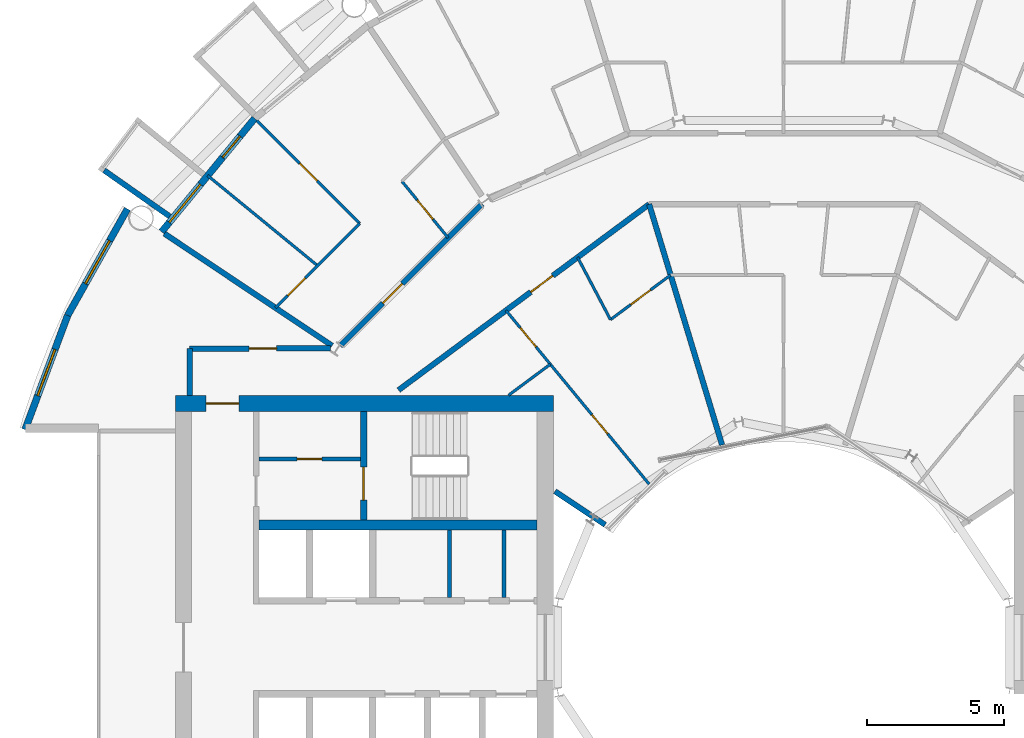
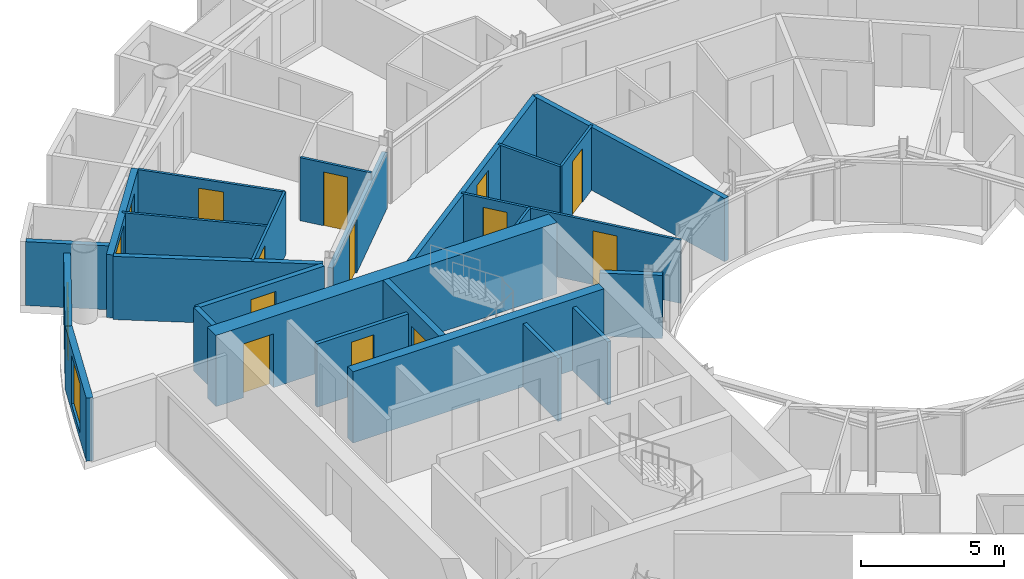
# One storey, part 19 of 27: 25 walls, 13 doors, 3 windows, 16 openings.
"""IFC4 building model written with IfcOpenShell, lengths in metres."""

from ifc_helpers import new_model, si_unit, direction, frame, frame_2d, origin, place, context, subcontext, project, spatial, rectangle, extrude, material, layer, layer_set, type_object, element, fill, save


model = new_model("IFC4")

# Units and contexts
model_context = context("Model", 3, precision=1e-05, world=origin(), true_north=direction((0.0, 1.0)))
body_context = subcontext(model_context, "Body", "Model", "MODEL_VIEW")
ifc_project = project(units=[si_unit("LENGTHUNIT", "METRE"), si_unit("AREAUNIT", "SQUARE_METRE"), si_unit("VOLUMEUNIT", "CUBIC_METRE"), si_unit("PLANEANGLEUNIT", "RADIAN"), si_unit("MASSUNIT", "GRAM", prefix="KILO")], contexts=[model_context])

# Site, building, storey
site_placement = place(None, origin())
site = spatial("IfcSite", under=ifc_project, at=site_placement, CompositionType="ELEMENT")
building_placement = place(site_placement, origin())
building = spatial("IfcBuilding", under=site, at=building_placement, Name="Maasbend Ring Residences", CompositionType="ELEMENT")
storey_placement = place(building_placement, frame((0.0, 0.0, 120.800048828125)))
storey = spatial("IfcBuildingStorey", under=building, at=storey_placement, Name="L34", CompositionType="ELEMENT", Elevation=120.800048828125)

# Wall, opening, door
ifc_material_1 = material(Name="Concrete C60/75", Category="concrete")
ifc_layer_1 = layer(ifc_material_1, 0.25)
ifc_layer_set_1 = layer_set([ifc_layer_1], Name="Concrete C60/75")
wall_type_1 = type_object("IfcWallType", Name="CORE WALL 250 C60/75", PredefinedType="SHEAR", material=ifc_layer_set_1)
wall_1_placement = place(storey_placement, frame((-15.324951171875, 8.60009765625, 0.0), z_axis=(0.0, 0.0, 1.0), x_axis=(0.0, -1.0, 0.0)))
wall_1 = element("IfcWall", 1, at=wall_1_placement, inside=storey, type_object=wall_type_1, Name="L34 core W wall STES", PredefinedType="SHEAR", context=body_context, shape_type="SweptSolid", body=[
    extrude(rectangle(XDim=3.9501953125, YDim=0.25, at=frame_2d((1.97509765625, 0.0))), origin(), (0.0, 0.0, 1.0), 3.050048828125),
])
opening_1_placement = place(wall_1_placement, frame((2.02490234375, 0.0, 0.0)))
opening_1 = element("IfcOpeningElement", 2, at=opening_1_placement, cuts=wall_1, Name="Opening D-W3411", PredefinedType="OPENING", context=body_context, shape_type="SweptSolid", body=[
    extrude(rectangle(XDim=1.199951171875, YDim=2.300048828125, at=frame_2d((0.60009765625, 1.14990234375))), frame((0.0, 0.135009765625, 0.0), z_axis=(0.0, -1.0, 0.0), x_axis=(1.0, 0.0, 0.0)), (0.0, 0.0, 1.0), 0.27001953125),
])
ifc_material_2 = material(Name="Steel, powder coated", Category="steel")
door_type_1 = type_object("IfcDoorType", Name="STAIR DOOR 1200 X 2300 FD60", OperationType="NOTDEFINED", PredefinedType="DOOR", material=ifc_material_2)
door_1_placement = place(opening_1_placement, origin())
door_1 = element("IfcDoor", 3, at=door_1_placement, inside=storey, type_object=door_type_1, Name="Stair door ST-W L34", OperationType="SINGLE_SWING_LEFT", OverallHeight=2.300048828125, OverallWidth=1.199951171875, PredefinedType="DOOR", context=body_context, shape_type="SweptSolid", body=[
    extrude(rectangle(XDim=1.199951171875, YDim=2.300048828125, at=frame_2d((0.60009765625, 1.14990234375))), frame((0.0, 0.02490234375, 0.0), z_axis=(0.0, -1.0, 0.0), x_axis=(1.0, 0.0, 0.0)), (0.0, 0.0, 1.0), 0.050048828125),
])
fill(opening_1, door_1)

# Wall
ifc_material_3 = material(Name="Concrete C60/75", Category="concrete")
ifc_layer_2 = layer(ifc_material_3, 0.375)
ifc_layer_set_2 = layer_set([ifc_layer_2], Name="Concrete C60/75")
wall_type_2 = type_object("IfcWallType", Name="CORE WALL 375 C60/75", PredefinedType="SHEAR", material=ifc_layer_set_2)
wall_2_placement = place(storey_placement, frame((-9.0, 4.46240234375, 0.0), z_axis=(0.0, 0.0, 1.0), x_axis=(-1.0, 0.0, 0.0)))
element("IfcWall", 4, at=wall_2_placement, inside=storey, type_object=wall_type_2, Name="L34 core W wall BS", PredefinedType="SHEAR", context=body_context, shape_type="SweptSolid", body=[
    extrude(rectangle(XDim=10.14990234375, YDim=0.375, at=frame_2d((5.074951171875, 0.0))), origin(), (0.0, 0.0, 1.0), 3.050048828125),
])

# Wall, opening, door
ifc_material_4 = material(Name="Concrete C60/75", Category="concrete")
ifc_layer_3 = layer(ifc_material_4, 0.60009765625)
ifc_layer_set_3 = layer_set([ifc_layer_3], Name="Concrete C60/75")
wall_type_3 = type_object("IfcWallType", Name="CORE WALL 600 C60/75", PredefinedType="SHEAR", material=ifc_layer_set_3)
wall_3_placement = place(storey_placement, frame((-8.39990234375, 8.89990234375, 0.0), z_axis=(0.0, 0.0, 1.0), x_axis=(-1.0, 0.0, 0.0)))
wall_3 = element("IfcWall", 5, at=wall_3_placement, inside=storey, type_object=wall_type_3, Name="L34 core W wall PS", PredefinedType="SHEAR", context=body_context, shape_type="SweptSolid", body=[
    extrude(rectangle(XDim=13.800048828125, YDim=0.60009765625, at=frame_2d((6.89990234375, 0.0))), origin(), (0.0, 0.0, 1.0), 3.050048828125),
])
opening_2_placement = place(wall_3_placement, frame((11.47509765625, 0.0, 0.0)))
opening_2 = element("IfcOpeningElement", 6, at=opening_2_placement, cuts=wall_3, Name="Opening D-W3415", PredefinedType="OPENING", context=body_context, shape_type="SweptSolid", body=[
    extrude(rectangle(XDim=1.199951171875, YDim=2.300048828125, at=frame_2d((0.60009765625, 1.14990234375))), frame((0.0, 0.31005859375, 0.0), z_axis=(0.0, -1.0, 0.0), x_axis=(1.0, 0.0, 0.0)), (0.0, 0.0, 1.0), 0.6201171875),
])
ifc_material_5 = material(Name="Steel, powder coated", Category="steel")
door_type_2 = type_object("IfcDoorType", Name="CORRIDOR DOOR 1200 X 2300 FD30S", OperationType="NOTDEFINED", PredefinedType="DOOR", material=ifc_material_5)
door_2_placement = place(opening_2_placement, origin())
door_2 = element("IfcDoor", 7, at=door_2_placement, inside=storey, type_object=door_type_2, Name="Corridor door L34", OperationType="SINGLE_SWING_LEFT", OverallHeight=2.300048828125, OverallWidth=1.199951171875, PredefinedType="DOOR", context=body_context, shape_type="SweptSolid", body=[
    extrude(rectangle(XDim=1.199951171875, YDim=2.300048828125, at=frame_2d((0.60009765625, 1.14990234375))), frame((0.0, 0.02490234375, 0.0), z_axis=(0.0, -1.0, 0.0), x_axis=(1.0, 0.0, 0.0)), (0.0, 0.0, 1.0), 0.050048828125),
])
fill(opening_2, door_2)

ifc_material_6 = material(Name="Concrete C30/37", Category="concrete")
ifc_layer_4 = layer(ifc_material_6, 0.199951171875)
ifc_layer_set_4 = layer_set([ifc_layer_4], Name="Concrete C30/37")
wall_type_4 = type_object("IfcWallType", Name="CORRIDOR WALL 200 CONCRETE", PredefinedType="PARTITIONING", material=ifc_layer_set_4)
wall_4_placement = place(storey_placement, frame((-21.675048828125, 10.89990234375, 0.0), z_axis=(0.0, 0.0, 1.0), x_axis=(0.999997173357, 0.002377662213, 0.0)))
wall_4 = element("IfcWall", 8, at=wall_4_placement, inside=storey, type_object=wall_type_4, Name="U-L34-w085", PredefinedType="PARTITIONING", context=body_context, shape_type="SweptSolid", body=[
    extrude(rectangle(XDim=5.134033203125, YDim=0.199951171875, at=frame_2d((2.56689453125, 0.0))), origin(), (0.0, 0.0, 1.0), 2.699951171875),
])
opening_3_placement = place(wall_4_placement, frame((2.1708984375, 0.0, 0.0)))
opening_3 = element("IfcOpeningElement", 9, at=opening_3_placement, cuts=wall_4, Name="Opening D-3463", PredefinedType="OPENING", context=body_context, shape_type="SweptSolid", body=[
    extrude(rectangle(XDim=1.0, YDim=2.300048828125, at=frame_2d((0.5, 1.14990234375))), frame((0.0, 0.10986328125, 0.0), z_axis=(0.0, -1.0, 0.0), x_axis=(1.0, 0.0, 0.0)), (0.0, 0.0, 1.0), 0.219970703125),
])
ifc_material_7 = material(Name="Timber, painted", Category="wood")
door_type_3 = type_object("IfcDoorType", Name="ROOM DOOR 1000 X 2300", OperationType="NOTDEFINED", PredefinedType="DOOR", material=ifc_material_7)
door_3_placement = place(opening_3_placement, origin())
door_3 = element("IfcDoor", 10, at=door_3_placement, inside=storey, type_object=door_type_3, Name="D-3463", OperationType="SINGLE_SWING_RIGHT", OverallHeight=2.300048828125, OverallWidth=1.0, PredefinedType="DOOR", context=body_context, shape_type="SweptSolid", body=[
    extrude(rectangle(XDim=1.0, YDim=2.300048828125, at=frame_2d((0.5, 1.14990234375))), frame((0.0, 0.02490234375, 0.0), z_axis=(0.0, -1.0, 0.0), x_axis=(1.0, 0.0, 0.0)), (0.0, 0.0, 1.0), 0.050048828125),
])
fill(opening_3, door_3)

wall_5_placement = place(storey_placement, frame((-14.052001953125, 9.388916015625, 0.0), z_axis=(0.0, 0.0, 1.0), x_axis=(0.803204584823, 0.59570327758, 0.0)))
wall_5 = element("IfcWall", 11, at=wall_5_placement, inside=storey, type_object=wall_type_4, Name="U-L34-w093", PredefinedType="PARTITIONING", context=body_context, shape_type="SweptSolid", body=[
    extrude(rectangle(XDim=11.386962890625, YDim=0.199951171875, at=frame_2d((5.693359375, 0.0))), origin(), (0.0, 0.0, 1.0), 2.699951171875),
])
opening_4_placement = place(wall_5_placement, frame((6.007080078125, 0.0, 0.0)))
opening_4 = element("IfcOpeningElement", 12, at=opening_4_placement, cuts=wall_5, Name="Opening D-3429", PredefinedType="OPENING", context=body_context, shape_type="SweptSolid", body=[
    extrude(rectangle(XDim=1.0, YDim=2.300048828125, at=frame_2d((0.5, 1.14990234375))), frame((0.0, 0.10986328125, 0.0), z_axis=(0.0, -1.0, 0.0), x_axis=(1.0, 0.0, 0.0)), (0.0, 0.0, 1.0), 0.219970703125),
])
ifc_material_8 = material(Name="Timber, fire-rated, painted", Category="wood")
door_type_4 = type_object("IfcDoorType", Name="FLAT ENTRANCE DOOR 1000 X 2300 FIRE-RATED", OperationType="NOTDEFINED", PredefinedType="DOOR", material=ifc_material_8)
door_4_placement = place(opening_4_placement, origin())
door_4 = element("IfcDoor", 13, at=door_4_placement, inside=storey, type_object=door_type_4, Name="D-3429", OperationType="SINGLE_SWING_RIGHT", OverallHeight=2.300048828125, OverallWidth=1.0, PredefinedType="DOOR", context=body_context, shape_type="SweptSolid", body=[
    extrude(rectangle(XDim=1.0, YDim=2.300048828125, at=frame_2d((0.5, 1.14990234375))), frame((0.0, 0.02490234375, 0.0), z_axis=(0.0, -1.0, 0.0), x_axis=(1.0, 0.0, 0.0)), (0.0, 0.0, 1.0), 0.050048828125),
])
fill(opening_4, door_4)

wall_6_placement = place(storey_placement, frame((-16.18603515625, 11.0, 0.0), z_axis=(0.0, 0.0, 1.0), x_axis=(0.707106781187, 0.707106781187, 0.0)))
wall_6 = element("IfcWall", 14, at=wall_6_placement, inside=storey, type_object=wall_type_4, Name="U-L34-w097", PredefinedType="PARTITIONING", context=body_context, shape_type="SweptSolid", body=[
    extrude(rectangle(XDim=7.334228515625, YDim=0.199951171875, at=frame_2d((3.6669921875, 0.0))), origin(), (0.0, 0.0, 1.0), 2.389892578125),
])
opening_5_placement = place(wall_6_placement, frame((2.2109375, 0.0, 0.0)))
opening_5 = element("IfcOpeningElement", 15, at=opening_5_placement, cuts=wall_6, Name="Opening D-3417", PredefinedType="OPENING", context=body_context, shape_type="SweptSolid", body=[
    extrude(rectangle(XDim=1.0, YDim=2.300048828125, at=frame_2d((0.5, 1.14990234375))), frame((0.0, 0.10986328125, 0.0), z_axis=(0.0, -1.0, 0.0), x_axis=(1.0, 0.0, 0.0)), (0.0, 0.0, 1.0), 0.219970703125),
])
door_5_placement = place(opening_5_placement, origin())
door_5 = element("IfcDoor", 16, at=door_5_placement, inside=storey, type_object=door_type_4, Name="D-3417", OperationType="SINGLE_SWING_LEFT", OverallHeight=2.300048828125, OverallWidth=1.0, PredefinedType="DOOR", context=body_context, shape_type="SweptSolid", body=[
    extrude(rectangle(XDim=1.0, YDim=2.300048828125, at=frame_2d((0.5, 1.14990234375))), frame((0.0, 0.02490234375, 0.0), z_axis=(0.0, -1.0, 0.0), x_axis=(1.0, 0.0, 0.0)), (0.0, 0.0, 1.0), 0.050048828125),
])
fill(opening_5, door_5)

# Walls
wall_7_placement = place(storey_placement, frame((-21.675048828125, 9.199951171875, 0.0), z_axis=(0.0, 0.0, 1.0), x_axis=(0.0, 1.0, 0.0)))
element("IfcWall", 17, at=wall_7_placement, inside=storey, type_object=wall_type_4, Name="U-L34-w104", PredefinedType="PARTITIONING", context=body_context, shape_type="SweptSolid", body=[
    extrude(rectangle(XDim=1.699951171875, YDim=0.199951171875, at=frame_2d((0.85009765625, 0.0))), origin(), (0.0, 0.0, 1.0), 2.699951171875),
])
ifc_material_9 = material(Name="Pale anodised aluminium panel", Category="aluminium")
ifc_layer_5 = layer(ifc_material_9, 0.199951171875)
ifc_layer_set_5 = layer_set([ifc_layer_5], Name="EW-BOX")
wall_type_5 = type_object("IfcWallType", Name="EW-BOX", PredefinedType="SOLIDWALL", material=ifc_layer_set_5)
wall_8_placement = place(storey_placement, frame((-22.402099609375, 15.72607421875, -0.030029296875), z_axis=(0.0, 0.0, 1.0), x_axis=(-0.818275399393, 0.574826383135, 0.0)))
element("IfcWall", 18, at=wall_8_placement, inside=storey, type_object=wall_type_5, Name="Box side wall N20 right", PredefinedType="SOLIDWALL", context=body_context, shape_type="SweptSolid", body=[
    extrude(rectangle(XDim=2.92919921875, YDim=0.199951171875, at=frame_2d((1.464599609375, 0.0))), origin(), (0.0, 0.0, 1.0), 2.72998046875),
])

# Wall, openings, door, window
ifc_material_10 = material(Name="Aluminium clad insulated panel", Category="aluminium")
ifc_layer_6 = layer(ifc_material_10, 0.25)
ifc_layer_set_6 = layer_set([ifc_layer_6], Name="EW-GL")
wall_type_6 = type_object("IfcWallType", Name="EW-GL", PredefinedType="SOLIDWALL", material=ifc_layer_set_6)
wall_9_placement = place(storey_placement, frame((-19.303955078125, 19.303955078125, 0.0), z_axis=(0.0, 0.0, 1.0), x_axis=(-0.634382322723, -0.773019449054, 0.0)))
wall_9 = element("IfcWall", 19, at=wall_9_placement, inside=storey, type_object=wall_type_6, Name="External wall N10", PredefinedType="SOLIDWALL", context=body_context, shape_type="SweptSolid", body=[
    extrude(rectangle(XDim=5.351806640625, YDim=0.25, at=frame_2d((2.67578125, 0.0))), origin(), (0.0, 0.0, 1.0), 2.699951171875),
])
opening_6_placement = place(wall_9_placement, frame((0.841064453125, 0.0, 0.0)))
opening_6 = element("IfcOpeningElement", 20, at=opening_6_placement, cuts=wall_9, Name="Opening D-LG", PredefinedType="OPENING", context=body_context, shape_type="SweptSolid", body=[
    extrude(rectangle(XDim=1.0, YDim=2.199951171875, at=frame_2d((0.5, 1.10009765625))), frame((0.0, 0.135009765625, 0.0), z_axis=(0.0, -1.0, 0.0), x_axis=(1.0, 0.0, 0.0)), (0.0, 0.0, 1.0), 0.27001953125),
])
opening_7_placement = place(wall_9_placement, frame((3.110595703125, 0.0, 0.300048828125)))
opening_7 = element("IfcOpeningElement", 21, at=opening_7_placement, cuts=wall_9, Name="Opening W-BX", PredefinedType="OPENING", context=body_context, shape_type="SweptSolid", body=[
    extrude(rectangle(XDim=1.800048828125, YDim=2.10009765625, at=frame_2d((0.89990234375, 1.050048828125))), frame((0.0, 0.135009765625, 0.0), z_axis=(0.0, -1.0, 0.0), x_axis=(1.0, 0.0, 0.0)), (0.0, 0.0, 1.0), 0.27001953125),
])
ifc_material_11 = material(Name="Aluminium and clear glass", Category="aluminium")
door_type_5 = type_object("IfcDoorType", Name="D-LG", OperationType="SINGLE_SWING_LEFT", PredefinedType="DOOR", material=ifc_material_11)
door_6_placement = place(opening_6_placement, origin())
door_6 = element("IfcDoor", 22, at=door_6_placement, inside=storey, type_object=door_type_5, Name="Loggia door N19", OperationType="SINGLE_SWING_LEFT", OverallHeight=2.199951171875, OverallWidth=1.0, PredefinedType="DOOR", context=body_context, shape_type="SweptSolid", body=[
    extrude(rectangle(XDim=1.0, YDim=2.199951171875, at=frame_2d((0.5, 1.10009765625))), frame((0.0, 0.02490234375, 0.0), z_axis=(0.0, -1.0, 0.0), x_axis=(1.0, 0.0, 0.0)), (0.0, 0.0, 1.0), 0.050048828125),
])
fill(opening_6, door_6)
ifc_material_12 = material(Name="Aluminium and clear glass", Category="aluminium")
window_type = type_object("IfcWindowType", Name="W-BX", PartitioningType="DOUBLE_PANEL_VERTICAL", PredefinedType="WINDOW", material=ifc_material_12)
window_1_placement = place(opening_7_placement, origin())
window_1 = element("IfcWindow", 23, at=window_1_placement, inside=storey, type_object=window_type, Name="Window N20 room to box", OverallHeight=2.10009765625, OverallWidth=1.800048828125, PartitioningType="SINGLE_PANEL", PredefinedType="WINDOW", context=body_context, shape_type="SweptSolid", body=[
    extrude(rectangle(XDim=1.800048828125, YDim=2.10009765625, at=frame_2d((0.89990234375, 1.050048828125))), frame((0.0, 0.030029296875, 0.0), z_axis=(0.0, -1.0, 0.0), x_axis=(1.0, 0.0, 0.0)), (0.0, 0.0, 1.0), 0.06005859375),
])
fill(opening_7, window_1)

# Wall, opening, window
ifc_material_13 = material(Name="Aluminium clad insulated panel", Category="aluminium")
ifc_layer_7 = layer(ifc_material_13, 0.25)
ifc_layer_set_7 = layer_set([ifc_layer_7], Name="EW-HORN")
wall_type_7 = type_object("IfcWallType", Name="EW-HORN", PredefinedType="SOLIDWALL", material=ifc_layer_set_7)
wall_10_placement = place(storey_placement, frame((-23.946044921875, 16.0, 0.0), z_axis=(0.0, 0.0, 1.0), x_axis=(-0.489696356642, -0.871893042919, 0.0)))
wall_10 = element("IfcWall", 24, at=wall_10_placement, inside=storey, type_object=wall_type_7, Name="Horn wall 4.1", PredefinedType="SOLIDWALL", context=body_context, shape_type="SweptSolid", body=[
    extrude(rectangle(XDim=4.45361328125, YDim=0.25, at=frame_2d((2.226806640625, 0.0))), origin(), (0.0, 0.0, 1.0), 2.699951171875),
])
opening_8_placement = place(wall_10_placement, frame((1.32666015625, 0.0, 0.300048828125)))
opening_8 = element("IfcOpeningElement", 25, at=opening_8_placement, cuts=wall_10, Name="Opening W-BX", PredefinedType="OPENING", context=body_context, shape_type="SweptSolid", body=[
    extrude(rectangle(XDim=1.800048828125, YDim=2.10009765625, at=frame_2d((0.89990234375, 1.050048828125))), frame((0.0, 0.135009765625, 0.0), z_axis=(0.0, -1.0, 0.0), x_axis=(1.0, 0.0, 0.0)), (0.0, 0.0, 1.0), 0.27001953125),
])
window_2_placement = place(opening_8_placement, origin())
window_2 = element("IfcWindow", 26, at=window_2_placement, inside=storey, type_object=window_type, Name="Horn window 4.1", OverallHeight=2.10009765625, OverallWidth=1.800048828125, PartitioningType="SINGLE_PANEL", PredefinedType="WINDOW", context=body_context, shape_type="SweptSolid", body=[
    extrude(rectangle(XDim=1.800048828125, YDim=2.10009765625, at=frame_2d((0.89990234375, 1.050048828125))), frame((0.0, 0.030029296875, 0.0), z_axis=(0.0, -1.0, 0.0), x_axis=(1.0, 0.0, 0.0)), (0.0, 0.0, 1.0), 0.06005859375),
])
fill(opening_8, window_2)

wall_11_placement = place(storey_placement, frame((-26.126953125, 12.116943359375, 0.0), z_axis=(0.0, 0.0, 1.0), x_axis=(-0.349247811493, -0.937030397675, 0.0)))
wall_11 = element("IfcWall", 27, at=wall_11_placement, inside=storey, type_object=wall_type_7, Name="Horn wall 4.2", PredefinedType="SOLIDWALL", context=body_context, shape_type="SweptSolid", body=[
    extrude(rectangle(XDim=4.4521484375, YDim=0.25, at=frame_2d((2.22607421875, 0.0))), origin(), (0.0, 0.0, 1.0), 2.699951171875),
])
opening_9_placement = place(wall_11_placement, frame((1.32666015625, 0.0, 0.300048828125)))
opening_9 = element("IfcOpeningElement", 28, at=opening_9_placement, cuts=wall_11, Name="Opening W-BX", PredefinedType="OPENING", context=body_context, shape_type="SweptSolid", body=[
    extrude(rectangle(XDim=1.800048828125, YDim=2.10009765625, at=frame_2d((0.89990234375, 1.050048828125))), frame((0.0, 0.135009765625, 0.0), z_axis=(0.0, -1.0, 0.0), x_axis=(1.0, 0.0, 0.0)), (0.0, 0.0, 1.0), 0.27001953125),
])
window_3_placement = place(opening_9_placement, origin())
window_3 = element("IfcWindow", 29, at=window_3_placement, inside=storey, type_object=window_type, Name="Horn window 4.2", OverallHeight=2.10009765625, OverallWidth=1.800048828125, PartitioningType="SINGLE_PANEL", PredefinedType="WINDOW", context=body_context, shape_type="SweptSolid", body=[
    extrude(rectangle(XDim=1.800048828125, YDim=2.10009765625, at=frame_2d((0.89990234375, 1.050048828125))), frame((0.0, 0.030029296875, 0.0), z_axis=(0.0, -1.0, 0.0), x_axis=(1.0, 0.0, 0.0)), (0.0, 0.0, 1.0), 0.06005859375),
])
fill(opening_9, window_3)

# Wall
ifc_material_14 = material(Name="Gypsum board on steel studs", Category="steel")
ifc_layer_8 = layer(ifc_material_14, 0.10009765625)
ifc_layer_set_8 = layer_set([ifc_layer_8], Name="PARTITION 100 GYPSUM")
wall_type_8 = type_object("IfcWallType", Name="PARTITION 100 GYPSUM", PredefinedType="PARTITIONING", material=ifc_layer_set_8)
wall_12_placement = place(storey_placement, frame((-21.02294921875, 17.219970703125, 0.0), z_axis=(0.0, 0.0, 1.0), x_axis=(0.773517471898, -0.633774976367, 0.0)))
element("IfcWall", 30, at=wall_12_placement, inside=storey, type_object=wall_type_8, Name="U-L34-w034", PredefinedType="PARTITIONING", context=body_context, shape_type="SweptSolid", body=[
    extrude(rectangle(XDim=5.19580078125, YDim=0.10009765625, at=frame_2d((2.597900390625, 0.0))), origin(), (0.0, 0.0, 1.0), 2.699951171875),
])

# Wall, opening, door
wall_13_placement = place(storey_placement, frame((-19.216064453125, 19.216064453125, 0.0), z_axis=(0.0, 0.0, 1.0), x_axis=(0.707106781187, -0.707106781187, 0.0)))
wall_13 = element("IfcWall", 31, at=wall_13_placement, inside=storey, type_object=wall_type_8, Name="U-L34-w035", PredefinedType="PARTITIONING", context=body_context, shape_type="SweptSolid", body=[
    extrude(rectangle(XDim=5.3046875, YDim=0.10009765625, at=frame_2d((2.65234375, 0.0))), origin(), (0.0, 0.0, 1.0), 2.699951171875),
])
opening_10_placement = place(wall_13_placement, frame((2.201904296875, 0.0, 0.0)))
opening_10 = element("IfcOpeningElement", 32, at=opening_10_placement, cuts=wall_13, Name="Opening D-3419", PredefinedType="OPENING", context=body_context, shape_type="SweptSolid", body=[
    extrude(rectangle(XDim=0.89990234375, YDim=2.300048828125, at=frame_2d((0.449951171875, 1.14990234375))), frame((0.0, 0.06005859375, 0.0), z_axis=(0.0, -1.0, 0.0), x_axis=(1.0, 0.0, 0.0)), (0.0, 0.0, 1.0), 0.1201171875),
])
ifc_material_15 = material(Name="Timber, painted", Category="wood")
door_type_6 = type_object("IfcDoorType", Name="INTERNAL DOOR 900 X 2300", OperationType="NOTDEFINED", PredefinedType="DOOR", material=ifc_material_15)
door_7_placement = place(opening_10_placement, origin())
door_7 = element("IfcDoor", 33, at=door_7_placement, inside=storey, type_object=door_type_6, Name="D-3419", OperationType="SINGLE_SWING_LEFT", OverallHeight=2.300048828125, OverallWidth=0.89990234375, PredefinedType="DOOR", context=body_context, shape_type="SweptSolid", body=[
    extrude(rectangle(XDim=0.89990234375, YDim=2.300048828125, at=frame_2d((0.449951171875, 1.14990234375))), frame((0.0, 0.02490234375, 0.0), z_axis=(0.0, -1.0, 0.0), x_axis=(1.0, 0.0, 0.0)), (0.0, 0.0, 1.0), 0.050048828125),
])
fill(opening_10, door_7)

wall_14_placement = place(storey_placement, frame((-13.927001953125, 17.00390625, 0.0), z_axis=(0.0, 0.0, 1.0), x_axis=(0.633582447834, -0.77367517848, 0.0)))
wall_14 = element("IfcWall", 34, at=wall_14_placement, inside=storey, type_object=wall_type_8, Name="U-L34-w040", PredefinedType="PARTITIONING", context=body_context, shape_type="SweptSolid", body=[
    extrude(rectangle(XDim=2.6611328125, YDim=0.10009765625, at=frame_2d((1.33056640625, 0.0))), origin(), (0.0, 0.0, 1.0), 2.699951171875),
])
opening_11_placement = place(wall_14_placement, frame((0.881103515625, 0.0, 0.0)))
opening_11 = element("IfcOpeningElement", 35, at=opening_11_placement, cuts=wall_14, Name="Opening D-3418", PredefinedType="OPENING", context=body_context, shape_type="SweptSolid", body=[
    extrude(rectangle(XDim=0.89990234375, YDim=2.300048828125, at=frame_2d((0.449951171875, 1.14990234375))), frame((0.0, 0.06005859375, 0.0), z_axis=(0.0, -1.0, 0.0), x_axis=(1.0, 0.0, 0.0)), (0.0, 0.0, 1.0), 0.1201171875),
])
door_8_placement = place(opening_11_placement, origin())
door_8 = element("IfcDoor", 36, at=door_8_placement, inside=storey, type_object=door_type_6, Name="D-3418", OperationType="SINGLE_SWING_RIGHT", OverallHeight=2.300048828125, OverallWidth=0.89990234375, PredefinedType="DOOR", context=body_context, shape_type="SweptSolid", body=[
    extrude(rectangle(XDim=0.89990234375, YDim=2.300048828125, at=frame_2d((0.449951171875, 1.14990234375))), frame((0.0, 0.02490234375, 0.0), z_axis=(0.0, -1.0, 0.0), x_axis=(1.0, 0.0, 0.0)), (0.0, 0.0, 1.0), 0.050048828125),
])
fill(opening_11, door_8)

# Wall, openings, doors
wall_15_placement = place(storey_placement, frame((-10.132080078125, 12.2958984375, 0.0), z_axis=(0.0, 0.0, 1.0), x_axis=(0.635976043025, -0.771708800454, 0.0)))
wall_15 = element("IfcWall", 37, at=wall_15_placement, inside=storey, type_object=wall_type_8, Name="U-L34-w044", PredefinedType="PARTITIONING", context=body_context, shape_type="SweptSolid", body=[
    extrude(rectangle(XDim=8.212890625, YDim=0.10009765625, at=frame_2d((4.1064453125, 0.0))), origin(), (0.0, 0.0, 1.0), 2.699951171875),
])
opening_12_placement = place(wall_15_placement, frame((0.822998046875, 0.0, 0.0)))
opening_12 = element("IfcOpeningElement", 38, at=opening_12_placement, cuts=wall_15, Name="Opening D-3431", PredefinedType="OPENING", context=body_context, shape_type="SweptSolid", body=[
    extrude(rectangle(XDim=0.89990234375, YDim=2.300048828125, at=frame_2d((0.449951171875, 1.14990234375))), frame((0.0, 0.06005859375, 0.0), z_axis=(0.0, -1.0, 0.0), x_axis=(1.0, 0.0, 0.0)), (0.0, 0.0, 1.0), 0.1201171875),
])
opening_13_placement = place(wall_15_placement, frame((4.928955078125, 0.0, 0.0)))
opening_13 = element("IfcOpeningElement", 39, at=opening_13_placement, cuts=wall_15, Name="Opening D-3432", PredefinedType="OPENING", context=body_context, shape_type="SweptSolid", body=[
    extrude(rectangle(XDim=0.89990234375, YDim=2.300048828125, at=frame_2d((0.449951171875, 1.14990234375))), frame((0.0, 0.06005859375, 0.0), z_axis=(0.0, -1.0, 0.0), x_axis=(1.0, 0.0, 0.0)), (0.0, 0.0, 1.0), 0.1201171875),
])
door_9_placement = place(opening_12_placement, origin())
door_9 = element("IfcDoor", 40, at=door_9_placement, inside=storey, type_object=door_type_6, Name="D-3431", OperationType="SINGLE_SWING_LEFT", OverallHeight=2.300048828125, OverallWidth=0.89990234375, PredefinedType="DOOR", context=body_context, shape_type="SweptSolid", body=[
    extrude(rectangle(XDim=0.89990234375, YDim=2.300048828125, at=frame_2d((0.449951171875, 1.14990234375))), frame((0.0, 0.02490234375, 0.0), z_axis=(0.0, -1.0, 0.0), x_axis=(1.0, 0.0, 0.0)), (0.0, 0.0, 1.0), 0.050048828125),
])
fill(opening_12, door_9)
door_10_placement = place(opening_13_placement, origin())
door_10 = element("IfcDoor", 41, at=door_10_placement, inside=storey, type_object=door_type_6, Name="D-3432", OperationType="SINGLE_SWING_RIGHT", OverallHeight=2.300048828125, OverallWidth=0.89990234375, PredefinedType="DOOR", context=body_context, shape_type="SweptSolid", body=[
    extrude(rectangle(XDim=0.89990234375, YDim=2.300048828125, at=frame_2d((0.449951171875, 1.14990234375))), frame((0.0, 0.02490234375, 0.0), z_axis=(0.0, -1.0, 0.0), x_axis=(1.0, 0.0, 0.0)), (0.0, 0.0, 1.0), 0.050048828125),
])
fill(opening_13, door_10)

# Walls
wall_16_placement = place(storey_placement, frame((-7.51904296875, 14.23388671875, 0.0), z_axis=(0.0, 0.0, 1.0), x_axis=(0.467001992543, -0.884256263173, 0.0)))
element("IfcWall", 42, at=wall_16_placement, inside=storey, type_object=wall_type_8, Name="U-L34-w048", PredefinedType="PARTITIONING", context=body_context, shape_type="SweptSolid", body=[
    extrude(rectangle(XDim=2.571533203125, YDim=0.10009765625, at=frame_2d((1.28564453125, 0.0))), origin(), (0.0, 0.0, 1.0), 2.699951171875),
])
wall_17_placement = place(storey_placement, frame((-10.0390625, 9.199951171875, 0.0), z_axis=(0.0, 0.0, 1.0), x_axis=(0.803149591038, 0.595777420196, 0.0)))
element("IfcWall", 43, at=wall_17_placement, inside=storey, type_object=wall_type_8, Name="U-L34-w087", PredefinedType="PARTITIONING", context=body_context, shape_type="SweptSolid", body=[
    extrude(rectangle(XDim=1.900146484375, YDim=0.10009765625, at=frame_2d((0.9501953125, 0.0))), origin(), (0.0, 0.0, 1.0), 2.699951171875),
])

# Wall, opening, door
wall_18_placement = place(storey_placement, frame((-6.318115234375, 11.9599609375, 0.0), z_axis=(0.0, 0.0, 1.0), x_axis=(0.803128348509, 0.595806055542, 0.0)))
wall_18 = element("IfcWall", 44, at=wall_18_placement, inside=storey, type_object=wall_type_8, Name="U-L34-w088", PredefinedType="PARTITIONING", context=body_context, shape_type="SweptSolid", body=[
    extrude(rectangle(XDim=2.734375, YDim=0.10009765625, at=frame_2d((1.3671875, 0.0))), origin(), (0.0, 0.0, 1.0), 2.699951171875),
])
opening_14_placement = place(wall_18_placement, frame((0.9169921875, 0.0, 0.0)))
opening_14 = element("IfcOpeningElement", 45, at=opening_14_placement, cuts=wall_18, Name="Opening D-3430", PredefinedType="OPENING", context=body_context, shape_type="SweptSolid", body=[
    extrude(rectangle(XDim=0.89990234375, YDim=2.300048828125, at=frame_2d((0.449951171875, 1.14990234375))), frame((0.0, 0.06005859375, 0.0), z_axis=(0.0, -1.0, 0.0), x_axis=(1.0, 0.0, 0.0)), (0.0, 0.0, 1.0), 0.1201171875),
])
door_11_placement = place(opening_14_placement, origin())
door_11 = element("IfcDoor", 46, at=door_11_placement, inside=storey, type_object=door_type_6, Name="D-3430", OperationType="SINGLE_SWING_RIGHT", OverallHeight=2.300048828125, OverallWidth=0.89990234375, PredefinedType="DOOR", context=body_context, shape_type="SweptSolid", body=[
    extrude(rectangle(XDim=0.89990234375, YDim=2.300048828125, at=frame_2d((0.449951171875, 1.14990234375))), frame((0.0, 0.02490234375, 0.0), z_axis=(0.0, -1.0, 0.0), x_axis=(1.0, 0.0, 0.0)), (0.0, 0.0, 1.0), 0.050048828125),
])
fill(opening_14, door_11)

wall_19_placement = place(storey_placement, frame((-18.5419921875, 12.388916015625, 0.0), z_axis=(0.0, 0.0, 1.0), x_axis=(0.707190945535, 0.707022606819, 0.0)))
wall_19 = element("IfcWall", 47, at=wall_19_placement, inside=storey, type_object=wall_type_8, Name="U-L34-w105", PredefinedType="PARTITIONING", context=body_context, shape_type="SweptSolid", body=[
    extrude(rectangle(XDim=4.350830078125, YDim=0.10009765625, at=frame_2d((2.17529296875, 0.0))), origin(), (0.0, 0.0, 1.0), 2.699951171875),
])
opening_15_placement = place(wall_19_placement, frame((0.638916015625, 0.0, 0.0)))
opening_15 = element("IfcOpeningElement", 48, at=opening_15_placement, cuts=wall_19, Name="Opening D-3420", PredefinedType="OPENING", context=body_context, shape_type="SweptSolid", body=[
    extrude(rectangle(XDim=0.89990234375, YDim=2.300048828125, at=frame_2d((0.449951171875, 1.14990234375))), frame((0.0, 0.06005859375, 0.0), z_axis=(0.0, -1.0, 0.0), x_axis=(1.0, 0.0, 0.0)), (0.0, 0.0, 1.0), 0.1201171875),
])
door_12_placement = place(opening_15_placement, origin())
door_12 = element("IfcDoor", 49, at=door_12_placement, inside=storey, type_object=door_type_6, Name="D-3420", OperationType="SINGLE_SWING_LEFT", OverallHeight=2.300048828125, OverallWidth=0.89990234375, PredefinedType="DOOR", context=body_context, shape_type="SweptSolid", body=[
    extrude(rectangle(XDim=0.89990234375, YDim=2.300048828125, at=frame_2d((0.449951171875, 1.14990234375))), frame((0.0, 0.02490234375, 0.0), z_axis=(0.0, -1.0, 0.0), x_axis=(1.0, 0.0, 0.0)), (0.0, 0.0, 1.0), 0.050048828125),
])
fill(opening_15, door_12)

# Walls
ifc_material_16 = material(Name="Gypsum board on steel studs", Category="steel")
ifc_layer_9 = layer(ifc_material_16, 0.14990234375)
ifc_layer_set_9 = layer_set([ifc_layer_9], Name="PARTITION 150 EI 60")
wall_type_9 = type_object("IfcWallType", Name="PARTITION 150 EI 60", PredefinedType="PARTITIONING", material=ifc_layer_set_9)
for number, where, z_axis, x_axis, name in (
    (50, (-10.199951171875, 1.824951171875, 0.0), (0.0, 0.0, 1.0), (0.0, 1.0, 0.0), "L34 core W wall PRS1020"),
    (51, (-12.199951171875, 1.824951171875, 0.0), (0.0, 0.0, 1.0), (0.0, 1.0, 0.0), "L34 core W wall PRS1220"),
):
    element("IfcWall", number, at=place(storey_placement, frame(where, z_axis=z_axis, x_axis=x_axis)), inside=storey, type_object=wall_type_9, Name=name, PredefinedType="PARTITIONING", context=body_context, shape_type="SweptSolid", body=[
        extrude(rectangle(XDim=2.449951171875, YDim=0.14990234375, at=frame_2d((1.22509765625, 0.0))), origin(), (0.0, 0.0, 1.0), 2.699951171875),
    ])

# Wall, opening, door
wall_20_placement = place(storey_placement, frame((-15.449951171875, 6.875, 0.0), z_axis=(0.0, 0.0, 1.0), x_axis=(-1.0, 0.0, 0.0)))
wall_20 = element("IfcWall", 52, at=wall_20_placement, inside=storey, type_object=wall_type_9, Name="L34 core W wall RHS", PredefinedType="PARTITIONING", context=body_context, shape_type="SweptSolid", body=[
    extrude(rectangle(XDim=3.699951171875, YDim=0.14990234375, at=frame_2d((1.85009765625, 0.0))), origin(), (0.0, 0.0, 1.0), 2.699951171875),
])
opening_16_placement = place(wall_20_placement, frame((1.39990234375, 0.0, 0.0)))
opening_16 = element("IfcOpeningElement", 53, at=opening_16_placement, cuts=wall_20, Name="Opening D-W3409", PredefinedType="OPENING", context=body_context, shape_type="SweptSolid", body=[
    extrude(rectangle(XDim=0.89990234375, YDim=2.300048828125, at=frame_2d((0.449951171875, 1.14990234375))), frame((0.0, 0.0849609375, 0.0), z_axis=(0.0, -1.0, 0.0), x_axis=(1.0, 0.0, 0.0)), (0.0, 0.0, 1.0), 0.169921875),
])
ifc_material_17 = material(Name="Steel, powder coated", Category="steel")
door_type_7 = type_object("IfcDoorType", Name="RISER DOOR 900 X 2300 FD60", OperationType="NOTDEFINED", PredefinedType="DOOR", material=ifc_material_17)
door_13_placement = place(opening_16_placement, origin())
door_13 = element("IfcDoor", 54, at=door_13_placement, inside=storey, type_object=door_type_7, Name="Riser door L34", OperationType="SINGLE_SWING_LEFT", OverallHeight=2.300048828125, OverallWidth=0.89990234375, PredefinedType="DOOR", context=body_context, shape_type="SweptSolid", body=[
    extrude(rectangle(XDim=0.89990234375, YDim=2.300048828125, at=frame_2d((0.449951171875, 1.14990234375))), frame((0.0, 0.02490234375, 0.0), z_axis=(0.0, -1.0, 0.0), x_axis=(1.0, 0.0, 0.0)), (0.0, 0.0, 1.0), 0.050048828125),
])
fill(opening_16, door_13)

# Walls
ifc_material_18 = material(Name="Concrete C30/37", Category="concrete")
ifc_layer_10 = layer(ifc_material_18, 0.199951171875)
ifc_layer_set_10 = layer_set([ifc_layer_10], Name="Concrete C30/37")
wall_type_10 = type_object("IfcWallType", Name="PARTY WALL 200 CONCRETE", PredefinedType="PARTITIONING", material=ifc_layer_set_10)
wall_21_placement = place(storey_placement, frame((-4.906982421875, 16.172119140625, 0.0), z_axis=(0.0, 0.0, 1.0), x_axis=(0.289977130626, -0.957033575019, 0.0)))
element("IfcWall", 55, at=wall_21_placement, inside=storey, type_object=wall_type_10, Name="U-L34-w029", PredefinedType="PARTITIONING", context=body_context, shape_type="SweptSolid", body=[
    extrude(rectangle(XDim=9.1796875, YDim=0.199951171875, at=frame_2d((4.58984375, 0.0))), origin(), (0.0, 0.0, 1.0), 2.699951171875),
])
wall_22_placement = place(storey_placement, frame((-22.594970703125, 15.097900390625, 0.0), z_axis=(0.0, 0.0, 1.0), x_axis=(0.831406593008, -0.555664536482, 0.0)))
element("IfcWall", 56, at=wall_22_placement, inside=storey, type_object=wall_type_10, Name="U-L34-w033", PredefinedType="PARTITIONING", context=body_context, shape_type="SweptSolid", body=[
    extrude(rectangle(XDim=7.3583984375, YDim=0.199951171875, at=frame_2d((3.67919921875, 0.0))), origin(), (0.0, 0.0, 1.0), 2.699951171875),
])
wall_23_placement = place(storey_placement, frame((-6.512939453125, 4.471923828125, 0.0), z_axis=(0.0, 0.0, 1.0), x_axis=(-0.831333375071, 0.555774072347, 0.0)))
element("IfcWall", 57, at=wall_23_placement, inside=storey, type_object=wall_type_10, Name="U-L34-w083", PredefinedType="PARTITIONING", context=body_context, shape_type="SweptSolid", body=[
    extrude(rectangle(XDim=2.20263671875, YDim=0.199951171875, at=frame_2d((1.101318359375, 0.0))), origin(), (0.0, 0.0, 1.0), 2.699951171875),
])

save(model, "model.ifc")
